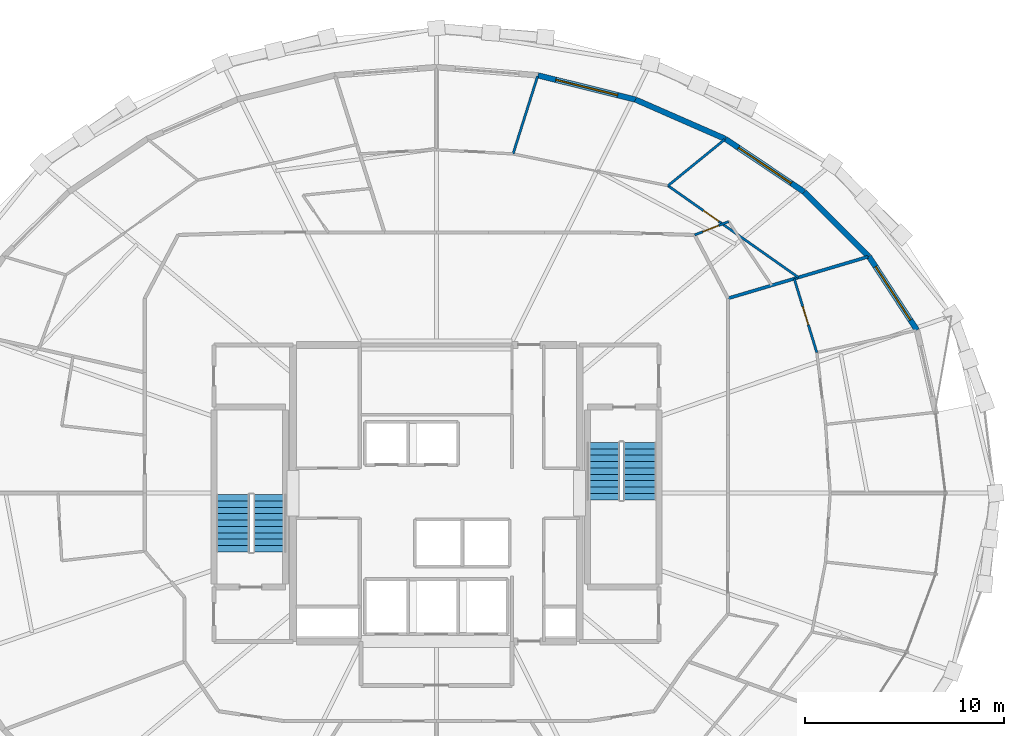
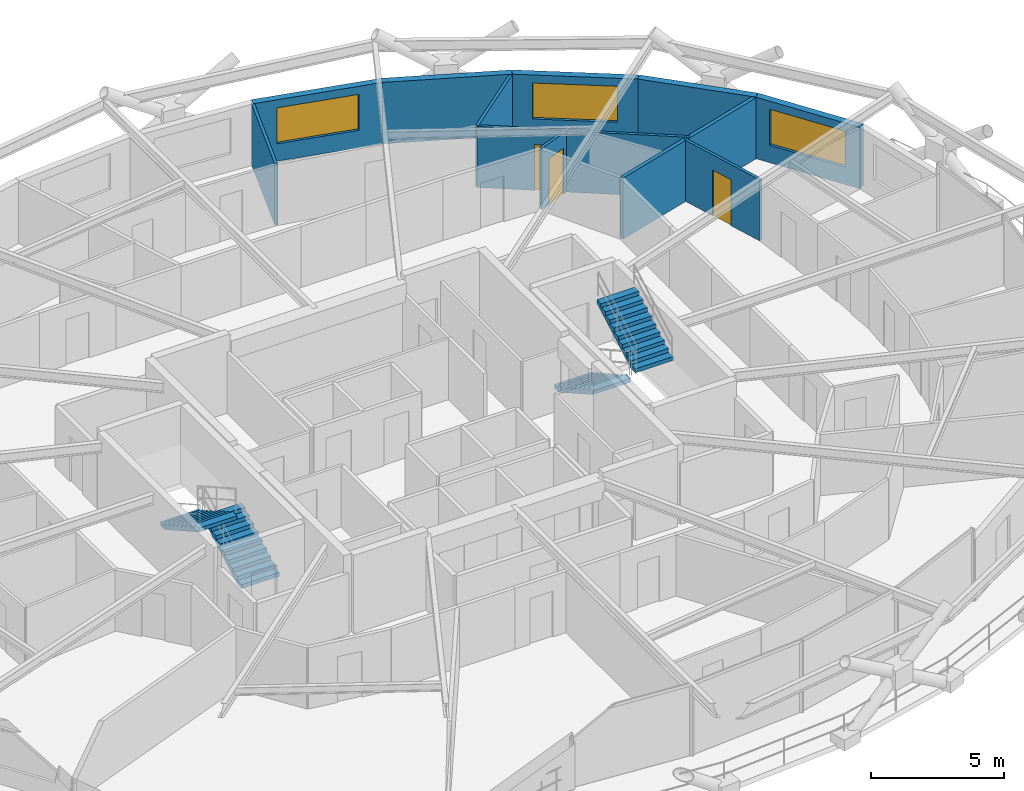
# One storey, part 18 of 19: 11 walls, 4 stair flights, 3 doors, 3 windows, 6 openings, 2 elements without a shape of their own.
"""IFC4 building model written with IfcOpenShell, lengths in metres."""

import ifcopenshell
import ifcopenshell.guid

model = None  # the IFC model being written
_history = None  # IfcOwnerHistory: only IFC2X3 demands one
_inside = {}  # id of a spatial element -> (the spatial element, [elements in it])
_under = {}  # id of a project, library or spatial element -> (it, [spatial elements below it])
_declared = {}  # id of a project -> (the project, [libraries it declares])
_typed = {}  # id of a type object -> (the type object, [elements of that type])
_made_of = {}  # id of a material, layer set ... -> (it, [elements and type objects made of it])


def new_model(schema):
    """Start an empty IFC model of exactly this schema.

    Asked for "IFC4X3", IfcOpenShell would pick the latest addendum, in which some entities
    have other attributes; the version numbers below select the first issue.
    IFC2X3 requires an IfcOwnerHistory on every rooted entity: one is made here for all.
    """
    global model, _history
    if schema == "IFC4X3":
        model = ifcopenshell.file(schema_version=(4, 3, 0, 0))
    else:
        model = ifcopenshell.file(schema=schema)
    _inside.clear()
    _under.clear()
    _declared.clear()
    _typed.clear()
    _made_of.clear()
    _history = None
    if model.schema == "IFC2X3":
        org = make("IfcOrganization", Name="unknown")
        user = make(
            "IfcPersonAndOrganization",
            ThePerson=make("IfcPerson", FamilyName="unknown"),
            TheOrganization=org,
        )
        app = make(
            "IfcApplication",
            ApplicationDeveloper=org,
            Version="unknown",
            ApplicationFullName="unknown",
            ApplicationIdentifier="unknown",
        )
        _history = make(
            "IfcOwnerHistory",
            OwningUser=user,
            OwningApplication=app,
            ChangeAction="ADDED",
            CreationDate=0,
        )
    return model


def make(cls, **values):
    """One entity of the class cls with the attributes given. An attribute that is None is left unset."""
    return model.create_entity(
        cls, **{name: value for name, value in values.items() if value is not None}
    )


def rooted(cls, **values):
    """An entity with a GlobalId (a new one), such as an element, a storey or a relation."""
    return make(cls, GlobalId=ifcopenshell.guid.new(), OwnerHistory=_history, **values)


def si_unit(unit_type, name, prefix=None):
    """IfcSIUnit, for example si_unit("LENGTHUNIT", "METRE", prefix="MILLI")."""
    return make("IfcSIUnit", UnitType=unit_type, Prefix=prefix, Name=name)


def assignment(units):
    """IfcUnitAssignment: the units of a project."""
    return None if units is None else make("IfcUnitAssignment", Units=units)


def point(xyz):
    """IfcCartesianPoint."""
    return None if xyz is None else make("IfcCartesianPoint", Coordinates=xyz)


def direction(xyz):
    """IfcDirection."""
    return None if xyz is None else make("IfcDirection", DirectionRatios=xyz)


def frame(location, z_axis=None, x_axis=None):
    """IfcAxis2Placement3D, a coordinate frame: its origin and axes. An axis left out is left unset."""
    return make(
        "IfcAxis2Placement3D",
        Location=point(location),
        Axis=direction(z_axis),
        RefDirection=direction(x_axis),
    )


def frame_2d(location, x_axis=None):
    """IfcAxis2Placement2D, a coordinate frame in the plane: its origin and x axis."""
    return make(
        "IfcAxis2Placement2D", Location=point(location), RefDirection=direction(x_axis)
    )


def origin():
    """The frame at (0, 0, 0) with its axes left unset."""
    return frame((0.0, 0.0, 0.0))


def place(relative_to, where):
    """IfcLocalPlacement: puts the frame where relative to a parent placement (None: the world)."""
    return make(
        "IfcLocalPlacement", PlacementRelTo=relative_to, RelativePlacement=where
    )


def context(
    kind, dimensions, precision=None, world=None, true_north=None, identifier=None
):
    """IfcGeometricRepresentationContext, for example the 3D "Model" context."""
    return make(
        "IfcGeometricRepresentationContext",
        ContextIdentifier=identifier,
        ContextType=kind,
        CoordinateSpaceDimension=dimensions,
        Precision=precision,
        WorldCoordinateSystem=world,
        TrueNorth=true_north,
    )


def subcontext(parent, identifier, kind, view, scale=None):
    """IfcGeometricRepresentationSubContext, for example "Body" below "Model"."""
    return make(
        "IfcGeometricRepresentationSubContext",
        ContextIdentifier=identifier,
        ContextType=kind,
        ParentContext=parent,
        TargetScale=scale,
        TargetView=view,
    )


def project(units=None, contexts=None):
    """IfcProject with its units and contexts."""
    return rooted(
        "IfcProject",
        Name="project",
        RepresentationContexts=contexts,
        UnitsInContext=assignment(units),
    )


def spatial(cls, under=None, at=None, **own):
    """A site, building, storey or space (cls), placed at a placement, below another one or the project."""
    s = rooted(cls, ObjectPlacement=at, **own)
    if under is not None:
        _under.setdefault(under.id(), (under, []))[1].append(s)
    return s


def polyline(points):
    """IfcPolyline through the points."""
    return make("IfcPolyline", Points=[point(p) for p in points])


def profile(cls, at=None, kind="AREA", **sizes):
    """A parametric profile (cls). Its sizes go by their IFC names, for example OverallWidth=200.0."""
    return make(cls, ProfileType=kind, Position=at, **sizes)


def rectangle(**sizes):
    """IfcRectangleProfileDef."""
    return profile("IfcRectangleProfileDef", **sizes)


def outline(outer, holes=None, kind="AREA"):
    """IfcArbitraryClosedProfileDef: a profile drawn as a closed curve; with holes, ...WithVoids."""
    if holes is None:
        return make("IfcArbitraryClosedProfileDef", ProfileType=kind, OuterCurve=outer)
    return make(
        "IfcArbitraryProfileDefWithVoids",
        ProfileType=kind,
        OuterCurve=outer,
        InnerCurves=holes,
    )


def extrude(swept, where, along, depth):
    """IfcExtrudedAreaSolid: the profile swept, set in the frame where, extruded along a direction by depth."""
    return make(
        "IfcExtrudedAreaSolid",
        SweptArea=swept,
        Position=where,
        ExtrudedDirection=direction(along),
        Depth=depth,
    )


def shape(context_of_items, identifier, shape_type, items):
    """IfcShapeRepresentation: the items that make up one representation, for example the "Body"."""
    return make(
        "IfcShapeRepresentation",
        ContextOfItems=context_of_items,
        RepresentationIdentifier=identifier,
        RepresentationType=shape_type,
        Items=items,
    )


def material(Name=None, Category=None):
    """IfcMaterial."""
    return make("IfcMaterial", Name=Name, Category=Category)


def layer(
    of_material, thickness, ventilated=None, Name=None, Category=None, Priority=None
):
    """IfcMaterialLayer: one layer of a wall or slab, of a material (None: an air gap)."""
    return make(
        "IfcMaterialLayer",
        Material=of_material,
        LayerThickness=thickness,
        IsVentilated=ventilated,
        Name=Name,
        Category=Category,
        Priority=Priority,
    )


def layer_set(layers, Name=None):
    """IfcMaterialLayerSet."""
    return make("IfcMaterialLayerSet", MaterialLayers=layers, LayerSetName=Name)


def made_of(thing, what):
    """Note that an element or type object is made of a material, layer set ...; save() writes the relation."""
    if what is not None:
        _made_of.setdefault(what.id(), (what, []))[1].append(thing)
    return thing


def type_object(cls, material=None, **own):
    """A type object (cls), such as IfcWallType, which elements share."""
    return made_of(rooted(cls, **own), material)


def element(
    cls,
    number,
    at=None,
    inside=None,
    cuts=None,
    type_object=None,
    material=None,
    context=None,
    identifier="Body",
    shape_type=None,
    held_by="IfcProductDefinitionShape",
    body=None,
    shapes=None,
    **own,
):
    """One element of the class cls, such as IfcWall. Its Tag is "e" and its number.

    at: its placement. inside: the storey or other place that contains it. cuts: it is an
    opening in that element (IfcRelVoidsElement). A single representation is given by context,
    identifier, shape_type and body (its items); several are given by shapes. held_by: the class
    of the entity that holds the representations. save() writes the other relations.
    """
    e = rooted(cls, Tag="e%d" % number, ObjectPlacement=at, **own)
    if body is not None:
        shapes = [shape(context, identifier, shape_type, body)]
    if shapes is not None:
        e.Representation = make(held_by, Representations=shapes)
    if inside is not None:
        _inside.setdefault(inside.id(), (inside, []))[1].append(e)
    if cuts is not None:
        rooted(
            "IfcRelVoidsElement", RelatingBuildingElement=cuts, RelatedOpeningElement=e
        )
    if type_object is not None:
        _typed.setdefault(type_object.id(), (type_object, []))[1].append(e)
    return made_of(e, material)


def fill(opening, filler):
    """IfcRelFillsElement: the door or window that sits in an opening."""
    return rooted(
        "IfcRelFillsElement",
        RelatingOpeningElement=opening,
        RelatedBuildingElement=filler,
    )


def aggregate(whole, parts):
    """IfcRelAggregates: a whole, such as a stair, and the parts it consists of."""
    return rooted("IfcRelAggregates", RelatingObject=whole, RelatedObjects=parts)


def save(model, path):
    """Write the relations noted so far, then the file.

    IfcRelAggregates (storeys below a building ...), IfcRelContainedInSpatialStructure (elements
    in a storey), IfcRelDefinesByType, IfcRelAssociatesMaterial and IfcRelDeclares: one each for
    every whole, place, type object, material and project.
    """
    for whole, parts in _under.values():
        aggregate(whole, parts)
    for where, things in _inside.values():
        rooted(
            "IfcRelContainedInSpatialStructure",
            RelatedElements=things,
            RelatingStructure=where,
        )
    for kind, things in _typed.values():
        rooted("IfcRelDefinesByType", RelatedObjects=things, RelatingType=kind)
    for what, things in _made_of.values():
        rooted("IfcRelAssociatesMaterial", RelatedObjects=things, RelatingMaterial=what)
    for by, libraries in _declared.values():
        rooted("IfcRelDeclares", RelatingContext=by, RelatedDefinitions=libraries)
    model.write(path)


model = new_model("IFC4")

# Units and contexts
model_context = context("Model", 3, precision=1e-05, world=origin(), true_north=direction((0.0, 1.0)))
body_context = subcontext(model_context, "Body", "Model", "MODEL_VIEW")
ifc_project = project(units=[si_unit("LENGTHUNIT", "METRE"), si_unit("AREAUNIT", "SQUARE_METRE"), si_unit("VOLUMEUNIT", "CUBIC_METRE"), si_unit("PLANEANGLEUNIT", "RADIAN"), si_unit("MASSUNIT", "GRAM", prefix="KILO")], contexts=[model_context])

# Site, building, storey
site_placement = place(None, origin())
site = spatial("IfcSite", under=ifc_project, at=site_placement, CompositionType="ELEMENT")
building_placement = place(site_placement, origin())
building = spatial("IfcBuilding", under=site, at=building_placement, Name="Veldorina Hangang Commons", CompositionType="ELEMENT")
storey_placement = place(building_placement, frame((0.0, 0.0, 167.60009765625)))
storey = spatial("IfcBuildingStorey", under=building, at=storey_placement, Name="L43", CompositionType="ELEMENT", Elevation=167.60009765625)

# Wall, opening, window
ifc_material_1 = material(Name="Stone Roman Travertine", Category="masonry")
ifc_layer_1 = layer(ifc_material_1, 0.280029296875)
ifc_layer_set_1 = layer_set([ifc_layer_1], Name="Stone Roman Travertine")
wall_type_1 = type_object("IfcWallType", Name="EW-TRAV-280", PredefinedType="STANDARD", material=ifc_layer_set_1)
wall_1_placement = place(storey_placement, frame((56.145751953125, 32.19189453125, 0.0), z_axis=(0.0, 0.0, 1.0), x_axis=(-0.546488523779, 0.837466592395, 0.0)))
wall_1 = element("IfcWall", 1, at=wall_1_placement, inside=storey, type_object=wall_type_1, Name="L43 travertine facade wall 02", PredefinedType="STANDARD", context=body_context, shape_type="SweptSolid", body=[
    extrude(rectangle(XDim=4.419189453125, YDim=0.280029296875, at=frame_2d((2.20947265625, 0.0))), origin(), (0.0, 0.0, 1.0), 2.81982421875),
])
opening_1_placement = place(wall_1_placement, frame((0.609619140625, 0.0, 0.800048828125)))
opening_1 = element("IfcOpeningElement", 2, at=opening_1_placement, cuts=wall_1, Name="Opening W-01", PredefinedType="OPENING", context=body_context, shape_type="SweptSolid", body=[
    extrude(rectangle(XDim=3.199951171875, YDim=1.64990234375, at=frame_2d((1.60009765625, 0.824951171875))), frame((0.0, 0.14990234375, 0.0), z_axis=(0.0, -1.0, 0.0), x_axis=(1.0, 0.0, 0.0)), (0.0, 0.0, 1.0), 0.300048828125),
])
ifc_material_2 = material(Name="Glass Low-E Triple IGU", Category="glass")
window_type = type_object("IfcWindowType", Name="WIN-TWR-3200", PartitioningType="SINGLE_PANEL", PredefinedType="WINDOW", material=ifc_material_2)
window_1_placement = place(opening_1_placement, origin())
window_1 = element("IfcWindow", 3, at=window_1_placement, inside=storey, type_object=window_type, Name="L43 facade window 02", OverallHeight=1.64990234375, OverallWidth=3.199951171875, PartitioningType="SINGLE_PANEL", PredefinedType="WINDOW", context=body_context, shape_type="SweptSolid", body=[
    extrude(rectangle(XDim=3.199951171875, YDim=1.64990234375, at=frame_2d((1.60009765625, 0.824951171875))), frame((0.0, 0.030029296875, 0.0), z_axis=(0.0, -1.0, 0.0), x_axis=(1.0, 0.0, 0.0)), (0.0, 0.0, 1.0), 0.06005859375),
])
fill(opening_1, window_1)

# Wall
wall_2_placement = place(storey_placement, frame((53.730712890625, 35.892822265625, 0.0), z_axis=(0.0, 0.0, 1.0), x_axis=(-0.707797600077, 0.706415286729, 0.0)))
element("IfcWall", 4, at=wall_2_placement, inside=storey, type_object=wall_type_1, Name="L43 travertine facade wall 03", PredefinedType="STANDARD", context=body_context, shape_type="SweptSolid", body=[
    extrude(rectangle(XDim=4.592041015625, YDim=0.280029296875, at=frame_2d((2.2958984375, 0.0))), origin(), (0.0, 0.0, 1.0), 2.81982421875),
])

# Wall, opening, window
wall_3_placement = place(storey_placement, frame((50.48046875, 39.13671875, 0.0), z_axis=(0.0, 0.0, 1.0), x_axis=(-0.829911180813, 0.557895538575, 0.0)))
wall_3 = element("IfcWall", 5, at=wall_3_placement, inside=storey, type_object=wall_type_1, Name="L43 travertine facade wall 04", PredefinedType="STANDARD", context=body_context, shape_type="SweptSolid", body=[
    extrude(rectangle(XDim=4.772216796875, YDim=0.280029296875, at=frame_2d((2.38623046875, 0.0))), origin(), (0.0, 0.0, 1.0), 2.81982421875),
])
opening_2_placement = place(wall_3_placement, frame((0.785888671875, 0.0, 0.800048828125)))
opening_2 = element("IfcOpeningElement", 6, at=opening_2_placement, cuts=wall_3, Name="Opening W-01", PredefinedType="OPENING", context=body_context, shape_type="SweptSolid", body=[
    extrude(rectangle(XDim=3.199951171875, YDim=1.64990234375, at=frame_2d((1.60009765625, 0.824951171875))), frame((0.0, 0.14990234375, 0.0), z_axis=(0.0, -1.0, 0.0), x_axis=(1.0, 0.0, 0.0)), (0.0, 0.0, 1.0), 0.300048828125),
])
window_2_placement = place(opening_2_placement, origin())
window_2 = element("IfcWindow", 7, at=window_2_placement, inside=storey, type_object=window_type, Name="L43 facade window 04", OverallHeight=1.64990234375, OverallWidth=3.199951171875, PartitioningType="SINGLE_PANEL", PredefinedType="WINDOW", context=body_context, shape_type="SweptSolid", body=[
    extrude(rectangle(XDim=3.199951171875, YDim=1.64990234375, at=frame_2d((1.60009765625, 0.824951171875))), frame((0.0, 0.030029296875, 0.0), z_axis=(0.0, -1.0, 0.0), x_axis=(1.0, 0.0, 0.0)), (0.0, 0.0, 1.0), 0.06005859375),
])
fill(opening_2, window_2)

# Wall
wall_4_placement = place(storey_placement, frame((46.52001953125, 41.799072265625, 0.0), z_axis=(0.0, 0.0, 1.0), x_axis=(-0.916070979736, 0.401016159381, 0.0)))
element("IfcWall", 8, at=wall_4_placement, inside=storey, type_object=wall_type_1, Name="L43 travertine facade wall 05", PredefinedType="STANDARD", context=body_context, shape_type="SweptSolid", body=[
    extrude(rectangle(XDim=4.9326171875, YDim=0.280029296875, at=frame_2d((2.46630859375, 0.0))), origin(), (0.0, 0.0, 1.0), 2.81982421875),
])

# Wall, opening, window
wall_5_placement = place(storey_placement, frame((42.00146484375, 43.777099609375, 0.0), z_axis=(0.0, 0.0, 1.0), x_axis=(-0.970488320416, 0.241148128617, 0.0)))
wall_5 = element("IfcWall", 9, at=wall_5_placement, inside=storey, type_object=wall_type_1, Name="L43 travertine facade wall 06", PredefinedType="STANDARD", context=body_context, shape_type="SweptSolid", body=[
    extrude(rectangle(XDim=5.052001953125, YDim=0.280029296875, at=frame_2d((2.52587890625, 0.0))), origin(), (0.0, 0.0, 1.0), 2.81982421875),
])
opening_3_placement = place(wall_5_placement, frame((0.92578125, 0.0, 0.800048828125)))
opening_3 = element("IfcOpeningElement", 10, at=opening_3_placement, cuts=wall_5, Name="Opening W-01", PredefinedType="OPENING", context=body_context, shape_type="SweptSolid", body=[
    extrude(rectangle(XDim=3.199951171875, YDim=1.64990234375, at=frame_2d((1.60009765625, 0.824951171875))), frame((0.0, 0.14990234375, 0.0), z_axis=(0.0, -1.0, 0.0), x_axis=(1.0, 0.0, 0.0)), (0.0, 0.0, 1.0), 0.300048828125),
])
window_3_placement = place(opening_3_placement, origin())
window_3 = element("IfcWindow", 11, at=window_3_placement, inside=storey, type_object=window_type, Name="L43 facade window 06", OverallHeight=1.64990234375, OverallWidth=3.199951171875, PartitioningType="SINGLE_PANEL", PredefinedType="WINDOW", context=body_context, shape_type="SweptSolid", body=[
    extrude(rectangle(XDim=3.199951171875, YDim=1.64990234375, at=frame_2d((1.60009765625, 0.824951171875))), frame((0.0, 0.030029296875, 0.0), z_axis=(0.0, -1.0, 0.0), x_axis=(1.0, 0.0, 0.0)), (0.0, 0.0, 1.0), 0.06005859375),
])
fill(opening_3, window_3)

# Wall
ifc_material_3 = material(Name="Gypsum Fire-Rated Twin Stud Wall", Category="gypsum")
ifc_layer_2 = layer(ifc_material_3, 0.159912109375)
ifc_layer_set_2 = layer_set([ifc_layer_2], Name="Gypsum Fire-Rated Twin Stud Wall")
wall_type_2 = type_object("IfcWallType", Name="WL-FIRE-160", PredefinedType="SOLIDWALL", material=ifc_layer_set_2)
wall_6_placement = place(storey_placement, frame((46.64990234375, 33.788818359375, 0.0), z_axis=(0.0, 0.0, 1.0), x_axis=(0.95857221619, 0.284849620586, 0.0)))
element("IfcWall", 12, at=wall_6_placement, inside=storey, type_object=wall_type_2, Name="L43 Unit party wall 03 094", PredefinedType="SOLIDWALL", context=body_context, shape_type="SweptSolid", body=[
    extrude(rectangle(XDim=7.336669921875, YDim=0.159912109375, at=frame_2d((3.66845703125, 0.0))), origin(), (0.0, 0.0, 1.0), 2.7998046875),
])

# Wall, opening, door
ifc_material_4 = material(Name="Gypsum Acoustic Stud Partition", Category="gypsum")
ifc_layer_3 = layer(ifc_material_4, 0.1201171875)
ifc_layer_set_3 = layer_set([ifc_layer_3], Name="Gypsum Acoustic Stud Partition")
wall_type_3 = type_object("IfcWallType", Name="WL-PART-120", PredefinedType="PARTITIONING", material=ifc_layer_set_3)
wall_7_placement = place(storey_placement, frame((51.113037109375, 31.06640625, 0.0), z_axis=(0.0, 0.0, 1.0), x_axis=(-0.292520584303, 0.956259226235, 0.0)))
wall_7 = element("IfcWall", 13, at=wall_7_placement, inside=storey, type_object=wall_type_3, Name="L43 Cluster 2 bed 6 front wall 092", PredefinedType="PARTITIONING", context=body_context, shape_type="SweptSolid", body=[
    extrude(rectangle(XDim=3.880859375, YDim=0.1201171875, at=frame_2d((1.9404296875, 0.0))), origin(), (0.0, 0.0, 1.0), 2.7998046875),
])
opening_4_placement = place(wall_7_placement, frame((1.465576171875, 0.0, 0.0)))
opening_4 = element("IfcOpeningElement", 14, at=opening_4_placement, cuts=wall_7, Name="Opening D-02", PredefinedType="OPENING", context=body_context, shape_type="SweptSolid", body=[
    extrude(rectangle(XDim=0.949951171875, YDim=2.10009765625, at=frame_2d((0.47509765625, 1.050048828125))), frame((0.0, 0.070068359375, 0.0), z_axis=(0.0, -1.0, 0.0), x_axis=(1.0, 0.0, 0.0)), (0.0, 0.0, 1.0), 0.14013671875),
])
ifc_material_5 = material(Name="Timber Solid Core Acoustic", Category="wood")
door_type_1 = type_object("IfcDoorType", Name="DR-INT-950", OperationType="SINGLE_SWING_LEFT", PredefinedType="DOOR", material=ifc_material_5)
door_1_placement = place(opening_4_placement, origin())
door_1 = element("IfcDoor", 15, at=door_1_placement, inside=storey, type_object=door_type_1, Name="L43 Cluster 2 bed 6 door 025", OperationType="SINGLE_SWING_LEFT", OverallHeight=2.10009765625, OverallWidth=0.949951171875, PredefinedType="DOOR", context=body_context, shape_type="SweptSolid", body=[
    extrude(rectangle(XDim=0.949951171875, YDim=2.10009765625, at=frame_2d((0.47509765625, 1.050048828125))), frame((0.0, 0.02490234375, 0.0), z_axis=(0.0, -1.0, 0.0), x_axis=(1.0, 0.0, 0.0)), (0.0, 0.0, 1.0), 0.050048828125),
])
fill(opening_4, door_1)

wall_8_placement = place(storey_placement, frame((44.97509765625, 36.97509765625, 0.0), z_axis=(0.0, 0.0, 1.0), x_axis=(0.930800041421, 0.365528771631, 0.0)))
wall_8 = element("IfcWall", 16, at=wall_8_placement, inside=storey, type_object=wall_type_3, Name="L43 Cluster 3 bath side wall 096", PredefinedType="PARTITIONING", context=body_context, shape_type="SweptSolid", body=[
    extrude(rectangle(XDim=1.83349609375, YDim=0.1201171875, at=frame_2d((0.916748046875, 0.0))), origin(), (0.0, 0.0, 1.0), 2.7998046875),
])
opening_5_placement = place(wall_8_placement, frame((0.43994140625, 0.0, 0.0)))
opening_5 = element("IfcOpeningElement", 17, at=opening_5_placement, cuts=wall_8, Name="Opening D-01", PredefinedType="OPENING", context=body_context, shape_type="SweptSolid", body=[
    extrude(rectangle(XDim=0.860107421875, YDim=2.10009765625, at=frame_2d((0.43017578125, 1.050048828125))), frame((0.0, 0.070068359375, 0.0), z_axis=(0.0, -1.0, 0.0), x_axis=(1.0, 0.0, 0.0)), (0.0, 0.0, 1.0), 0.14013671875),
])
ifc_material_6 = material(Name="Timber Moisture-Resistant Core", Category="wood")
door_type_2 = type_object("IfcDoorType", Name="DR-WET-860", OperationType="SINGLE_SWING_LEFT", PredefinedType="DOOR", material=ifc_material_6)
door_2_placement = place(opening_5_placement, origin())
door_2 = element("IfcDoor", 18, at=door_2_placement, inside=storey, type_object=door_type_2, Name="L43 Cluster 3 shared bathroom door 026", OperationType="SINGLE_SWING_RIGHT", OverallHeight=2.10009765625, OverallWidth=0.860107421875, PredefinedType="DOOR", context=body_context, shape_type="SweptSolid", body=[
    extrude(rectangle(XDim=0.860107421875, YDim=2.10009765625, at=frame_2d((0.43017578125, 1.050048828125))), frame((0.0, 0.02490234375, 0.0), z_axis=(0.0, -1.0, 0.0), x_axis=(1.0, 0.0, 0.0)), (0.0, 0.0, 1.0), 0.050048828125),
])
fill(opening_5, door_2)

wall_9_placement = place(storey_placement, frame((50.190185546875, 34.8408203125, 0.0), z_axis=(0.0, 0.0, 1.0), x_axis=(-0.81799600151, 0.575223905547, 0.0)))
wall_9 = element("IfcWall", 19, at=wall_9_placement, inside=storey, type_object=wall_type_3, Name="L43 Cluster 3 bed 1 front wall 097", PredefinedType="PARTITIONING", context=body_context, shape_type="SweptSolid", body=[
    extrude(rectangle(XDim=8.011962890625, YDim=0.1201171875, at=frame_2d((4.005859375, 0.0))), origin(), (0.0, 0.0, 1.0), 2.7998046875),
])
opening_6_placement = place(wall_9_placement, frame((4.89111328125, 0.0, 0.0)))
opening_6 = element("IfcOpeningElement", 20, at=opening_6_placement, cuts=wall_9, Name="Opening D-02", PredefinedType="OPENING", context=body_context, shape_type="SweptSolid", body=[
    extrude(rectangle(XDim=0.949951171875, YDim=2.10009765625, at=frame_2d((0.47509765625, 1.050048828125))), frame((0.0, 0.070068359375, 0.0), z_axis=(0.0, -1.0, 0.0), x_axis=(1.0, 0.0, 0.0)), (0.0, 0.0, 1.0), 0.14013671875),
])
door_3_placement = place(opening_6_placement, origin())
door_3 = element("IfcDoor", 21, at=door_3_placement, inside=storey, type_object=door_type_1, Name="L43 Cluster 3 bed 1 door 028", OperationType="SINGLE_SWING_RIGHT", OverallHeight=2.10009765625, OverallWidth=0.949951171875, PredefinedType="DOOR", context=body_context, shape_type="SweptSolid", body=[
    extrude(rectangle(XDim=0.949951171875, YDim=2.10009765625, at=frame_2d((0.47509765625, 1.050048828125))), frame((0.0, 0.02490234375, 0.0), z_axis=(0.0, -1.0, 0.0), x_axis=(1.0, 0.0, 0.0)), (0.0, 0.0, 1.0), 0.050048828125),
])
fill(opening_6, door_3)

# Walls
wall_10_placement = place(storey_placement, frame((43.636474609375, 39.449462890625, 0.0), z_axis=(0.0, 0.0, 1.0), x_axis=(0.775242225658, 0.631664065431, 0.0)))
element("IfcWall", 22, at=wall_10_placement, inside=storey, type_object=wall_type_3, Name="L43 Cluster 3 bed divider 1 099", PredefinedType="PARTITIONING", context=body_context, shape_type="SweptSolid", body=[
    extrude(rectangle(XDim=3.66943359375, YDim=0.1201171875, at=frame_2d((1.834716796875, 0.0))), origin(), (0.0, 0.0, 1.0), 2.7998046875),
])
wall_11_placement = place(storey_placement, frame((35.852294921875, 41.047607421875, 0.0), z_axis=(0.0, 0.0, 1.0), x_axis=(0.301037088962, 0.953612432317, 0.0)))
element("IfcWall", 23, at=wall_11_placement, inside=storey, type_object=wall_type_3, Name="L43 Cluster 3 bed divider 2 101", PredefinedType="PARTITIONING", context=body_context, shape_type="SweptSolid", body=[
    extrude(rectangle(XDim=4.08984375, YDim=0.1201171875, at=frame_2d((2.044921875, 0.0))), origin(), (0.0, 0.0, 1.0), 2.7998046875),
])

# Stair, stair flights
ifc_material_7 = material(Name="Concrete C40/50", Category="concrete")
stair_type = type_object("IfcStairType", Name="STR-DOG-1650-20R", PredefinedType="HALF_TURN_STAIR", material=ifc_material_7)
stair_1_placement = place(storey_placement, origin())
stair_1 = element("IfcStair", 24, at=stair_1_placement, inside=storey, type_object=stair_type, Name="L43 Exit stair ST-1", PredefinedType="HALF_TURN_STAIR")
stair_flight_type = type_object("IfcStairFlightType", Name="SFL-STR-1650-20R", PredefinedType="STRAIGHT", material=ifc_material_7)
stair_flight_1_placement = place(storey_placement, frame((23.625, 21.050048828125, 0.0), z_axis=(0.0, 0.0, 1.0), x_axis=(0.0, 1.0, 0.0)))
stair_flight_1 = element("IfcStairFlight", 25, at=stair_flight_1_placement, type_object=stair_flight_type, Name="ST-1 flight 1", NumberOfRisers=10, NumberOfTreads=9, PredefinedType="STRAIGHT", RiserHeight=0.18, TreadLength=0.32, context=body_context, shape_type="SweptSolid", body=[
    extrude(outline(polyline([(0.0, 0.0), (0.0, 0.179931640625), (0.320068359375, 0.179931640625), (0.320068359375, 0.360107421875), (0.639892578125, 0.360107421875), (0.639892578125, 0.5400390625), (0.9599609375, 0.5400390625), (0.9599609375, 0.719970703125), (1.280029296875, 0.719970703125), (1.280029296875, 0.89990234375), (1.60009765625, 0.89990234375), (1.60009765625, 1.080078125), (1.919921875, 1.080078125), (1.919921875, 1.260009765625), (2.239990234375, 1.260009765625), (2.239990234375, 1.43994140625), (2.56005859375, 1.43994140625), (2.56005859375, 1.6201171875), (2.8798828125, 1.6201171875), (2.8798828125, 1.800048828125), (2.8798828125, 1.447998046875), (0.3056640625, 0.0), (0.0, 0.0)])), frame((0.0, 0.824951171875, 0.0), z_axis=(0.0, -1.0, 0.0), x_axis=(1.0, 0.0, 0.0)), (0.0, 0.0, 1.0), 1.64990234375),
])
stair_flight_2_placement = place(storey_placement, frame((21.77490234375, 23.929931640625, 1.7998046875), z_axis=(0.0, 0.0, 1.0), x_axis=(0.0, -1.0, 0.0)))
stair_flight_2 = element("IfcStairFlight", 26, at=stair_flight_2_placement, type_object=stair_flight_type, Name="ST-1 flight 2", NumberOfRisers=10, NumberOfTreads=9, PredefinedType="STRAIGHT", RiserHeight=0.18, TreadLength=0.32, context=body_context, shape_type="SweptSolid", body=[
    extrude(outline(polyline([(0.0, 0.0), (0.0, 0.179931640625), (0.320068359375, 0.179931640625), (0.320068359375, 0.360107421875), (0.639892578125, 0.360107421875), (0.639892578125, 0.5400390625), (0.9599609375, 0.5400390625), (0.9599609375, 0.719970703125), (1.280029296875, 0.719970703125), (1.280029296875, 0.89990234375), (1.60009765625, 0.89990234375), (1.60009765625, 1.080078125), (1.919921875, 1.080078125), (1.919921875, 1.260009765625), (2.239990234375, 1.260009765625), (2.239990234375, 1.43994140625), (2.56005859375, 1.43994140625), (2.56005859375, 1.6201171875), (2.8798828125, 1.6201171875), (2.8798828125, 1.800048828125), (2.8798828125, 1.447998046875), (0.3056640625, 0.0), (0.0, 0.0)])), frame((0.0, 0.824951171875, 0.0), z_axis=(0.0, -1.0, 0.0), x_axis=(1.0, 0.0, 0.0)), (0.0, 0.0, 1.0), 1.64990234375),
])
aggregate(stair_1, [stair_flight_1, stair_flight_2])

stair_2_placement = place(storey_placement, origin())
stair_2 = element("IfcStair", 27, at=stair_2_placement, inside=storey, type_object=stair_type, Name="L43 Exit stair ST-2", PredefinedType="HALF_TURN_STAIR")
stair_flight_3_placement = place(storey_placement, frame((40.375, 26.550048828125, 0.0), z_axis=(0.0, 0.0, 1.0), x_axis=(0.0, -1.0, 0.0)))
stair_flight_3 = element("IfcStairFlight", 28, at=stair_flight_3_placement, type_object=stair_flight_type, Name="ST-2 flight 1", NumberOfRisers=10, NumberOfTreads=9, PredefinedType="STRAIGHT", RiserHeight=0.18, TreadLength=0.32, context=body_context, shape_type="SweptSolid", body=[
    extrude(outline(polyline([(0.0, 0.0), (0.0, 0.179931640625), (0.320068359375, 0.179931640625), (0.320068359375, 0.360107421875), (0.639892578125, 0.360107421875), (0.639892578125, 0.5400390625), (0.9599609375, 0.5400390625), (0.9599609375, 0.719970703125), (1.280029296875, 0.719970703125), (1.280029296875, 0.89990234375), (1.60009765625, 0.89990234375), (1.60009765625, 1.080078125), (1.919921875, 1.080078125), (1.919921875, 1.260009765625), (2.239990234375, 1.260009765625), (2.239990234375, 1.43994140625), (2.56005859375, 1.43994140625), (2.56005859375, 1.6201171875), (2.8798828125, 1.6201171875), (2.8798828125, 1.800048828125), (2.8798828125, 1.447998046875), (0.3056640625, 0.0), (0.0, 0.0)])), frame((0.0, 0.824951171875, 0.0), z_axis=(0.0, -1.0, 0.0), x_axis=(1.0, 0.0, 0.0)), (0.0, 0.0, 1.0), 1.64990234375),
])
stair_flight_4_placement = place(storey_placement, frame((42.22509765625, 23.669921875, 1.7998046875), z_axis=(0.0, 0.0, 1.0), x_axis=(0.0, 1.0, 0.0)))
stair_flight_4 = element("IfcStairFlight", 29, at=stair_flight_4_placement, type_object=stair_flight_type, Name="ST-2 flight 2", NumberOfRisers=10, NumberOfTreads=9, PredefinedType="STRAIGHT", RiserHeight=0.18, TreadLength=0.32, context=body_context, shape_type="SweptSolid", body=[
    extrude(outline(polyline([(0.0, 0.0), (0.0, 0.179931640625), (0.320068359375, 0.179931640625), (0.320068359375, 0.360107421875), (0.639892578125, 0.360107421875), (0.639892578125, 0.5400390625), (0.9599609375, 0.5400390625), (0.9599609375, 0.719970703125), (1.280029296875, 0.719970703125), (1.280029296875, 0.89990234375), (1.60009765625, 0.89990234375), (1.60009765625, 1.080078125), (1.919921875, 1.080078125), (1.919921875, 1.260009765625), (2.239990234375, 1.260009765625), (2.239990234375, 1.43994140625), (2.56005859375, 1.43994140625), (2.56005859375, 1.6201171875), (2.8798828125, 1.6201171875), (2.8798828125, 1.800048828125), (2.8798828125, 1.447998046875), (0.3056640625, 0.0), (0.0, 0.0)])), frame((0.0, 0.824951171875, 0.0), z_axis=(0.0, -1.0, 0.0), x_axis=(1.0, 0.0, 0.0)), (0.0, 0.0, 1.0), 1.64990234375),
])
aggregate(stair_2, [stair_flight_3, stair_flight_4])

save(model, "model.ifc")
